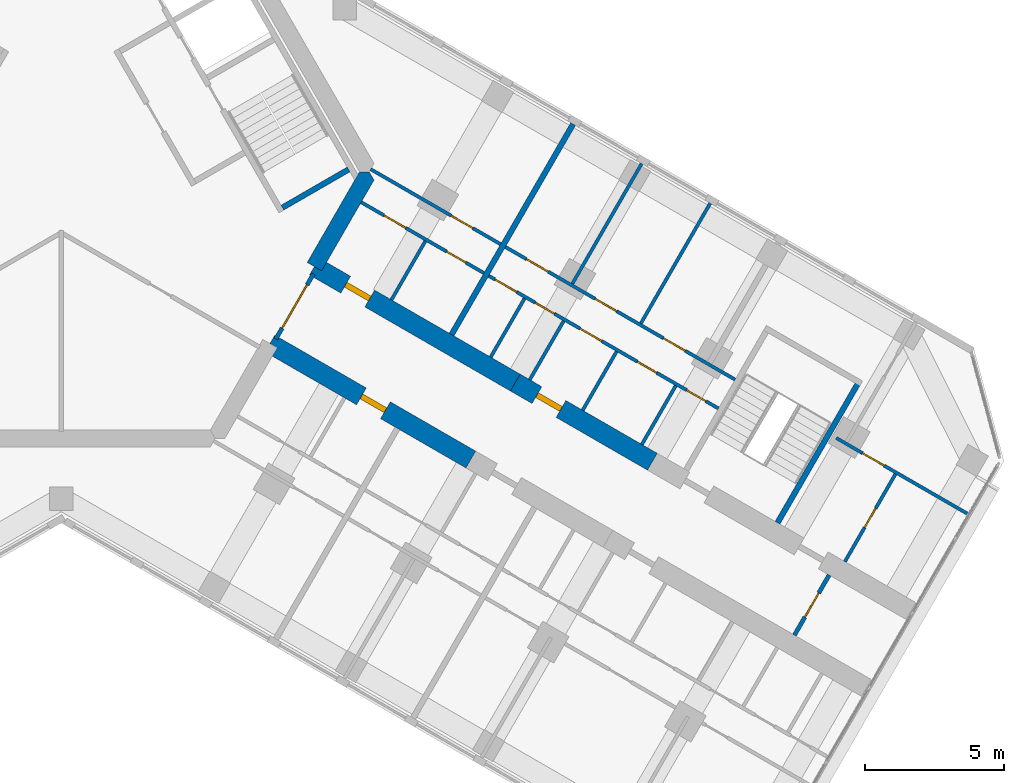
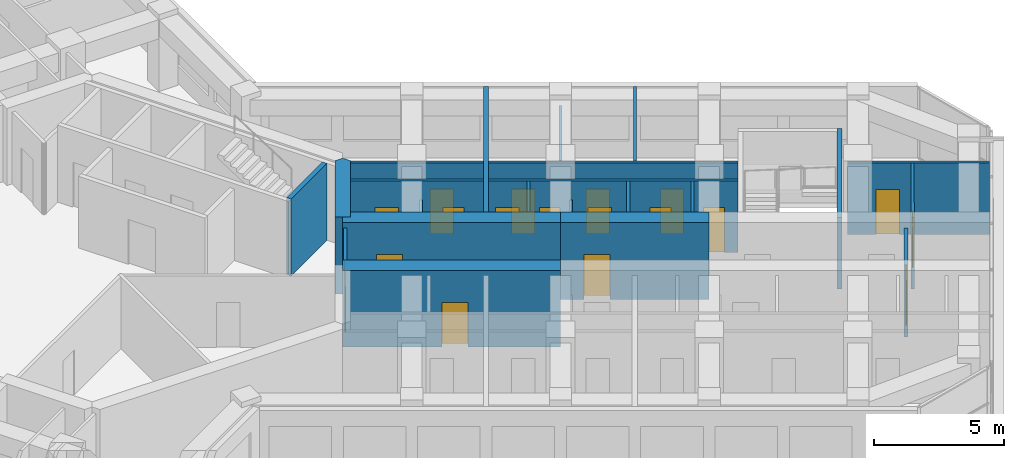
# One storey, part 12 of 16: 22 walls, 18 doors, 18 openings.
"""IFC4 building model written with IfcOpenShell, lengths in metres."""

from ifc_helpers import new_model, si_unit, direction, frame, frame_2d, origin, place, context, subcontext, project, spatial, polyline, rectangle, outline, extrude, material, layer, layer_set, type_object, element, fill, save


model = new_model("IFC4")

# Units and contexts
model_context = context("Model", 3, precision=1e-05, world=origin(), true_north=direction((0.0, 1.0)))
body_context = subcontext(model_context, "Body", "Model", "MODEL_VIEW")
ifc_project = project(units=[si_unit("LENGTHUNIT", "METRE"), si_unit("AREAUNIT", "SQUARE_METRE"), si_unit("VOLUMEUNIT", "CUBIC_METRE"), si_unit("PLANEANGLEUNIT", "RADIAN"), si_unit("MASSUNIT", "GRAM", prefix="KILO")], contexts=[model_context])

# Site, building, storey
site_placement = place(None, origin())
site = spatial("IfcSite", under=ifc_project, at=site_placement, CompositionType="ELEMENT")
building_placement = place(site_placement, origin())
building = spatial("IfcBuilding", under=site, at=building_placement, Name="Kosmar Iwan School Tower", CompositionType="ELEMENT")
storey_placement = place(building_placement, frame((0.0, 0.0, 253.199951171875)))
storey = spatial("IfcBuildingStorey", under=building, at=storey_placement, Name="L64", CompositionType="ELEMENT", Elevation=253.199951171875)

# Wall
ifc_material_1 = material(Name="Concrete C50/60", Category="concrete")
ifc_layer_1 = layer(ifc_material_1, 0.60009765625)
ifc_layer_set_1 = layer_set([ifc_layer_1], Name="Core wall 600")
wall_type_1 = type_object("IfcWallType", Name="Core wall 600", PredefinedType="SHEAR", material=ifc_layer_set_1)
wall_1_placement = place(storey_placement, origin())
element("IfcWall", 1, at=wall_1_placement, inside=storey, type_object=wall_type_1, Name="Core wall F330b", PredefinedType="SHEAR", context=body_context, shape_type="SweptSolid", body=[
    extrude(outline(polyline([(9.37353515625, -3.564453125), (11.25830078125, -0.300048828125), (11.085205078125, 0.0), (10.73876953125, 0.0), (8.85400390625, -3.264404296875), (9.37353515625, -3.564453125)])), origin(), (0.0, 0.0, 1.0), 3.60009765625),
])

# Wall, opening, door
ifc_material_2 = material(Name="Concrete C50/60", Category="concrete")
ifc_layer_2 = layer(ifc_material_2, 0.699951171875)
ifc_layer_set_2 = layer_set([ifc_layer_2], Name="Corridor buttress wall 700")
wall_type_2 = type_object("IfcWallType", Name="Corridor buttress wall 700", PredefinedType="SHEAR", material=ifc_layer_set_2)
wall_2_placement = place(storey_placement, frame((9.11376953125, -3.414306640625, 0.0), z_axis=(0.0, 0.0, 1.0), x_axis=(0.866026859388, -0.499997478812, 0.0)))
wall_2 = element("IfcWall", 2, at=wall_2_placement, inside=storey, type_object=wall_type_2, Name="Corridor wall CL", PredefinedType="SHEAR", context=body_context, shape_type="SweptSolid", body=[
    extrude(rectangle(XDim=8.35009765625, YDim=0.699951171875, at=frame_2d((4.175048828125, 0.0))), origin(), (0.0, 0.0, 1.0), 3.60009765625),
])
opening_1_placement = place(wall_2_placement, frame((1.300048828125, 0.0, 0.0)))
opening_1 = element("IfcOpeningElement", 3, at=opening_1_placement, cuts=wall_2, Name="Opening D1", PredefinedType="OPENING", context=body_context, shape_type="SweptSolid", body=[
    extrude(rectangle(XDim=1.0, YDim=2.10009765625, at=frame_2d((0.5, 1.050048828125))), frame((0.0, 0.362060546875, 0.0), z_axis=(0.0, -1.0, 0.0), x_axis=(1.0, 0.0, 0.0)), (0.0, 0.0, 1.0), 0.723876953125),
])
ifc_material_3 = material(Name="Timber fire door in steel frame", Category="steel")
door_type_1 = type_object("IfcDoorType", Name="Flat entrance door 1000x2100", OperationType="SINGLE_SWING_LEFT", PredefinedType="DOOR", material=ifc_material_3)
door_1_placement = place(opening_1_placement, origin())
door_1 = element("IfcDoor", 4, at=door_1_placement, inside=storey, type_object=door_type_1, Name="Flat L64-CL1 entrance door", OperationType="SINGLE_SWING_RIGHT", OverallHeight=2.10009765625, OverallWidth=1.0, PredefinedType="DOOR", context=body_context, shape_type="SweptSolid", body=[
    extrude(rectangle(XDim=1.0, YDim=2.10009765625, at=frame_2d((0.5, 1.050048828125))), frame((0.0, 0.10009765625, 0.0), z_axis=(0.0, -1.0, 0.0), x_axis=(1.0, 0.0, 0.0)), (0.0, 0.0, 1.0), 0.199951171875),
])
fill(opening_1, door_1)

wall_3_placement = place(storey_placement, frame((16.34521484375, -7.58935546875, 0.0), z_axis=(0.0, 0.0, 1.0), x_axis=(0.866015111908, -0.50001782563, 0.0)))
wall_3 = element("IfcWall", 5, at=wall_3_placement, inside=storey, type_object=wall_type_2, Name="Corridor wall CL bay 2", PredefinedType="SHEAR", context=body_context, shape_type="SweptSolid", body=[
    extrude(rectangle(XDim=5.699951171875, YDim=0.699951171875, at=frame_2d((2.85009765625, 0.0))), origin(), (0.0, 0.0, 1.0), 3.60009765625),
])
opening_2_placement = place(wall_3_placement, frame((0.89990234375, 0.0, 0.0)))
opening_2 = element("IfcOpeningElement", 6, at=opening_2_placement, cuts=wall_3, Name="Opening D1", PredefinedType="OPENING", context=body_context, shape_type="SweptSolid", body=[
    extrude(rectangle(XDim=1.0, YDim=2.10009765625, at=frame_2d((0.5, 1.050048828125))), frame((0.0, 0.362060546875, 0.0), z_axis=(0.0, -1.0, 0.0), x_axis=(1.0, 0.0, 0.0)), (0.0, 0.0, 1.0), 0.723876953125),
])
door_2_placement = place(opening_2_placement, origin())
door_2 = element("IfcDoor", 7, at=door_2_placement, inside=storey, type_object=door_type_1, Name="Flat L64-CL2 entrance door", OperationType="SINGLE_SWING_LEFT", OverallHeight=2.10009765625, OverallWidth=1.0, PredefinedType="DOOR", context=body_context, shape_type="SweptSolid", body=[
    extrude(rectangle(XDim=1.0, YDim=2.10009765625, at=frame_2d((0.5, 1.050048828125))), frame((0.0, 0.10009765625, 0.0), z_axis=(0.0, -1.0, 0.0), x_axis=(1.0, 0.0, 0.0)), (0.0, 0.0, 1.0), 0.199951171875),
])
fill(opening_2, door_2)

wall_4_placement = place(storey_placement, frame((7.513916015625, -6.185546875, 0.0), z_axis=(0.0, 0.0, 1.0), x_axis=(0.866019549707, -0.500010139422, 0.0)))
wall_4 = element("IfcWall", 8, at=wall_4_placement, inside=storey, type_object=wall_type_2, Name="Corridor wall CR", PredefinedType="SHEAR", context=body_context, shape_type="SweptSolid", body=[
    extrude(rectangle(XDim=8.349853515625, YDim=0.699951171875, at=frame_2d((4.1748046875, 0.0))), origin(), (0.0, 0.0, 1.0), 3.60009765625),
])
opening_3_placement = place(wall_4_placement, frame((3.800048828125, 0.0, 0.0)))
opening_3 = element("IfcOpeningElement", 9, at=opening_3_placement, cuts=wall_4, Name="Opening D1", PredefinedType="OPENING", context=body_context, shape_type="SweptSolid", body=[
    extrude(rectangle(XDim=1.0, YDim=2.10009765625, at=frame_2d((0.5, 1.050048828125))), frame((0.0, 0.362060546875, 0.0), z_axis=(0.0, -1.0, 0.0), x_axis=(1.0, 0.0, 0.0)), (0.0, 0.0, 1.0), 0.723876953125),
])
door_3_placement = place(opening_3_placement, origin())
door_3 = element("IfcDoor", 10, at=door_3_placement, inside=storey, type_object=door_type_1, Name="Flat L64-CR1 entrance door", OperationType="SINGLE_SWING_RIGHT", OverallHeight=2.10009765625, OverallWidth=1.0, PredefinedType="DOOR", context=body_context, shape_type="SweptSolid", body=[
    extrude(rectangle(XDim=1.0, YDim=2.10009765625, at=frame_2d((0.5, 1.050048828125))), frame((0.0, 0.10009765625, 0.0), z_axis=(0.0, -1.0, 0.0), x_axis=(1.0, 0.0, 0.0)), (0.0, 0.0, 1.0), 0.199951171875),
])
fill(opening_3, door_3)

ifc_material_4 = material(Name="Gypsum board on steel studs, fire-rated", Category="steel")
ifc_layer_3 = layer(ifc_material_4, 0.14990234375)
ifc_layer_set_3 = layer_set([ifc_layer_3], Name="Corridor end wall 150")
wall_type_3 = type_object("IfcWallType", Name="Corridor end wall 150", PredefinedType="PARTITIONING", material=ifc_layer_set_3)
wall_5_placement = place(storey_placement, frame((26.39501953125, -16.6826171875, 0.0), z_axis=(0.0, 0.0, 1.0), x_axis=(0.500004234368, 0.866022959057, 0.0)))
wall_5 = element("IfcWall", 11, at=wall_5_placement, inside=storey, type_object=wall_type_3, Name="Partition L64-C-CE", PredefinedType="PARTITIONING", context=body_context, shape_type="SweptSolid", body=[
    extrude(rectangle(XDim=2.5, YDim=0.14990234375, at=frame_2d((1.25, 0.0))), origin(), (0.0, 0.0, 1.0), 3.35009765625),
])
opening_4_placement = place(wall_5_placement, frame((0.75, 0.0, 0.0)))
opening_4 = element("IfcOpeningElement", 12, at=opening_4_placement, cuts=wall_5, Name="Opening D13", PredefinedType="OPENING", context=body_context, shape_type="SweptSolid", body=[
    extrude(rectangle(XDim=1.0, YDim=2.10009765625, at=frame_2d((0.5, 1.050048828125))), frame((0.0, 0.0869140625, 0.0), z_axis=(0.0, -1.0, 0.0), x_axis=(1.0, 0.0, 0.0)), (0.0, 0.0, 1.0), 0.173828125),
])
ifc_material_5 = material(Name="Timber fire door with vision panel", Category="wood")
door_type_2 = type_object("IfcDoorType", Name="Corridor end door 1000x2100", OperationType="SINGLE_SWING_LEFT", PredefinedType="DOOR", material=ifc_material_5)
door_4_placement = place(opening_4_placement, origin())
door_4 = element("IfcDoor", 13, at=door_4_placement, inside=storey, type_object=door_type_2, Name="Laundry and drying room door L64-C", OperationType="SINGLE_SWING_LEFT", OverallHeight=2.10009765625, OverallWidth=1.0, PredefinedType="DOOR", context=body_context, shape_type="SweptSolid", body=[
    extrude(rectangle(XDim=1.0, YDim=2.10009765625, at=frame_2d((0.5, 1.050048828125))), frame((0.0, 0.02490234375, 0.0), z_axis=(0.0, -1.0, 0.0), x_axis=(1.0, 0.0, 0.0)), (0.0, 0.0, 1.0), 0.050048828125),
])
fill(opening_4, door_4)

ifc_material_6 = material(Name="Steel framed glazed screen", Category="steel")
ifc_layer_4 = layer(ifc_material_6, 0.14990234375)
ifc_layer_set_4 = layer_set([ifc_layer_4], Name="Corridor screen wall 150")
wall_type_4 = type_object("IfcWallType", Name="Corridor screen wall 150", PredefinedType="PARTITIONING", material=ifc_layer_set_4)
wall_6_placement = place(storey_placement, frame((7.725341796875, -6.01904296875, 0.0), z_axis=(0.0, 0.0, 1.0), x_axis=(0.500048589285, 0.86599734893, 0.0)))
wall_6 = element("IfcWall", 14, at=wall_6_placement, inside=storey, type_object=wall_type_4, Name="Corridor screen C L64", PredefinedType="PARTITIONING", context=body_context, shape_type="SweptSolid", body=[
    extrude(rectangle(XDim=2.699951171875, YDim=0.14990234375, at=frame_2d((1.35009765625, 0.0))), origin(), (0.0, 0.0, 1.0), 3.35009765625),
])
opening_5_placement = place(wall_6_placement, frame((0.449951171875, 0.0, 0.0)))
opening_5 = element("IfcOpeningElement", 15, at=opening_5_placement, cuts=wall_6, Name="Opening D9", PredefinedType="OPENING", context=body_context, shape_type="SweptSolid", body=[
    extrude(rectangle(XDim=1.800048828125, YDim=2.10009765625, at=frame_2d((0.89990234375, 1.050048828125))), frame((0.0, 0.0869140625, 0.0), z_axis=(0.0, -1.0, 0.0), x_axis=(1.0, 0.0, 0.0)), (0.0, 0.0, 1.0), 0.173828125),
])
ifc_material_7 = material(Name="Steel framed glazed smoke door", Category="steel")
door_type_3 = type_object("IfcDoorType", Name="Corridor smoke door pair 1800x2100", OperationType="DOUBLE_DOOR_DOUBLE_SWING", PredefinedType="DOOR", material=ifc_material_7)
door_5_placement = place(opening_5_placement, origin())
door_5 = element("IfcDoor", 16, at=door_5_placement, inside=storey, type_object=door_type_3, Name="Corridor doors C L64", OperationType="DOUBLE_DOOR_DOUBLE_SWING", OverallHeight=2.10009765625, OverallWidth=1.800048828125, PredefinedType="DOOR", context=body_context, shape_type="SweptSolid", body=[
    extrude(rectangle(XDim=1.800048828125, YDim=2.10009765625, at=frame_2d((0.89990234375, 1.050048828125))), frame((0.0, 0.02490234375, 0.0), z_axis=(0.0, -1.0, 0.0), x_axis=(1.0, 0.0, 0.0)), (0.0, 0.0, 1.0), 0.050048828125),
])
fill(opening_5, door_5)

# Wall, openings, doors
ifc_material_8 = material(Name="Gypsum board on steel studs", Category="steel")
ifc_layer_5 = layer(ifc_material_8, 0.1201171875)
ifc_layer_set_5 = layer_set([ifc_layer_5], Name="Dwelling partition 120")
wall_type_5 = type_object("IfcWallType", Name="Dwelling partition 120", PredefinedType="PARTITIONING", material=ifc_layer_set_5)
wall_7_placement = place(storey_placement, frame((10.798583984375, -1.09619140625, 0.0), z_axis=(0.0, 0.0, 1.0), x_axis=(0.86602216432, -0.500005610874, 0.0)))
wall_7 = element("IfcWall", 17, at=wall_7_placement, inside=storey, type_object=wall_type_5, Name="Partition L64-CL1-W1", PredefinedType="PARTITIONING", context=body_context, shape_type="SweptSolid", body=[
    extrude(rectangle(XDim=5.10009765625, YDim=0.1201171875, at=frame_2d((2.550048828125, 0.0))), origin(), (0.0, 0.0, 1.0), 3.35009765625),
])
opening_6_placement = place(wall_7_placement, frame((0.949951171875, 0.0, 0.0)))
opening_6 = element("IfcOpeningElement", 18, at=opening_6_placement, cuts=wall_7, Name="Opening D2", PredefinedType="OPENING", context=body_context, shape_type="SweptSolid", body=[
    extrude(rectangle(XDim=0.89990234375, YDim=2.10009765625, at=frame_2d((0.449951171875, 1.050048828125))), frame((0.0, 0.072021484375, 0.0), z_axis=(0.0, -1.0, 0.0), x_axis=(1.0, 0.0, 0.0)), (0.0, 0.0, 1.0), 0.14404296875),
])
opening_7_placement = place(wall_7_placement, frame((3.550048828125, 0.0, 0.0)))
opening_7 = element("IfcOpeningElement", 19, at=opening_7_placement, cuts=wall_7, Name="Opening D3", PredefinedType="OPENING", context=body_context, shape_type="SweptSolid", body=[
    extrude(rectangle(XDim=0.800048828125, YDim=2.10009765625, at=frame_2d((0.39990234375, 1.050048828125))), frame((0.0, 0.072021484375, 0.0), z_axis=(0.0, -1.0, 0.0), x_axis=(1.0, 0.0, 0.0)), (0.0, 0.0, 1.0), 0.14404296875),
])
ifc_material_9 = material(Name="Timber door in timber frame", Category="wood")
door_type_4 = type_object("IfcDoorType", Name="Internal door 900x2100", OperationType="SINGLE_SWING_LEFT", PredefinedType="DOOR", material=ifc_material_9)
door_6_placement = place(opening_6_placement, origin())
door_6 = element("IfcDoor", 20, at=door_6_placement, inside=storey, type_object=door_type_4, Name="Entrance hall door L64-CL1-S1", OperationType="SINGLE_SWING_LEFT", OverallHeight=2.10009765625, OverallWidth=0.89990234375, PredefinedType="DOOR", context=body_context, shape_type="SweptSolid", body=[
    extrude(rectangle(XDim=0.89990234375, YDim=2.10009765625, at=frame_2d((0.449951171875, 1.050048828125))), frame((0.0, 0.02490234375, 0.0), z_axis=(0.0, -1.0, 0.0), x_axis=(1.0, 0.0, 0.0)), (0.0, 0.0, 1.0), 0.050048828125),
])
fill(opening_6, door_6)
ifc_material_10 = material(Name="Timber door in timber frame", Category="wood")
door_type_5 = type_object("IfcDoorType", Name="Sanitary room door 800x2100", OperationType="SINGLE_SWING_LEFT", PredefinedType="DOOR", material=ifc_material_10)
door_7_placement = place(opening_7_placement, origin())
door_7 = element("IfcDoor", 21, at=door_7_placement, inside=storey, type_object=door_type_5, Name="Bathroom door L64-CL1-S2", OperationType="SINGLE_SWING_RIGHT", OverallHeight=2.10009765625, OverallWidth=0.800048828125, PredefinedType="DOOR", context=body_context, shape_type="SweptSolid", body=[
    extrude(rectangle(XDim=0.800048828125, YDim=2.10009765625, at=frame_2d((0.39990234375, 1.050048828125))), frame((0.0, 0.02490234375, 0.0), z_axis=(0.0, -1.0, 0.0), x_axis=(1.0, 0.0, 0.0)), (0.0, 0.0, 1.0), 0.050048828125),
])
fill(opening_7, door_7)

# Wall, opening, door
wall_8_placement = place(storey_placement, frame((11.138916015625, 0.093017578125, 0.0), z_axis=(0.0, 0.0, 1.0), x_axis=(0.866028230842, -0.499995103361, 0.0)))
wall_8 = element("IfcWall", 22, at=wall_8_placement, inside=storey, type_object=wall_type_5, Name="Partition L64-CL1-W2", PredefinedType="PARTITIONING", context=body_context, shape_type="SweptSolid", body=[
    extrude(rectangle(XDim=5.39990234375, YDim=0.1201171875, at=frame_2d((2.699951171875, 0.0))), origin(), (0.0, 0.0, 1.0), 3.35009765625),
])
opening_8_placement = place(wall_8_placement, frame((3.35009765625, 0.0, 0.0)))
opening_8 = element("IfcOpeningElement", 23, at=opening_8_placement, cuts=wall_8, Name="Opening D2", PredefinedType="OPENING", context=body_context, shape_type="SweptSolid", body=[
    extrude(rectangle(XDim=0.89990234375, YDim=2.10009765625, at=frame_2d((0.449951171875, 1.050048828125))), frame((0.0, 0.072021484375, 0.0), z_axis=(0.0, -1.0, 0.0), x_axis=(1.0, 0.0, 0.0)), (0.0, 0.0, 1.0), 0.14404296875),
])
door_8_placement = place(opening_8_placement, origin())
door_8 = element("IfcDoor", 24, at=door_8_placement, inside=storey, type_object=door_type_4, Name="Studio living room and kitchen door L64-CL1-F1", OperationType="SINGLE_SWING_RIGHT", OverallHeight=2.10009765625, OverallWidth=0.89990234375, PredefinedType="DOOR", context=body_context, shape_type="SweptSolid", body=[
    extrude(rectangle(XDim=0.89990234375, YDim=2.10009765625, at=frame_2d((0.449951171875, 1.050048828125))), frame((0.0, 0.02490234375, 0.0), z_axis=(0.0, -1.0, 0.0), x_axis=(1.0, 0.0, 0.0)), (0.0, 0.0, 1.0), 0.050048828125),
])
fill(opening_8, door_8)

# Wall
wall_9_placement = place(storey_placement, frame((11.886962890625, -4.611328125, 0.0), z_axis=(0.0, 0.0, 1.0), x_axis=(0.499959183527, 0.866048967903, 0.0)))
element("IfcWall", 25, at=wall_9_placement, inside=storey, type_object=wall_type_5, Name="Partition L64-CL1-Y1", PredefinedType="PARTITIONING", context=body_context, shape_type="SweptSolid", body=[
    extrude(rectangle(XDim=2.440185546875, YDim=0.1201171875, at=frame_2d((1.22021484375, 0.0))), origin(), (0.0, 0.0, 1.0), 2.449951171875),
])

# Wall, openings, doors
wall_10_placement = place(storey_placement, frame((15.388671875, -3.74609375, 0.0), z_axis=(0.0, 0.0, 1.0), x_axis=(0.866017851049, -0.500013081493, 0.0)))
wall_10 = element("IfcWall", 26, at=wall_10_placement, inside=storey, type_object=wall_type_5, Name="Partition L64-CL2-W1", PredefinedType="PARTITIONING", context=body_context, shape_type="SweptSolid", body=[
    extrude(rectangle(XDim=9.550048828125, YDim=0.1201171875, at=frame_2d((4.77490234375, 0.0))), origin(), (0.0, 0.0, 1.0), 3.35009765625),
])
opening_9_placement = place(wall_10_placement, frame((0.262451171875, 0.0, 0.0)))
opening_9 = element("IfcOpeningElement", 27, at=opening_9_placement, cuts=wall_10, Name="Opening D2", PredefinedType="OPENING", context=body_context, shape_type="SweptSolid", body=[
    extrude(rectangle(XDim=0.89990234375, YDim=2.10009765625, at=frame_2d((0.449951171875, 1.050048828125))), frame((0.0, 0.072021484375, 0.0), z_axis=(0.0, -1.0, 0.0), x_axis=(1.0, 0.0, 0.0)), (0.0, 0.0, 1.0), 0.14404296875),
])
opening_10_placement = place(wall_10_placement, frame((1.9375, 0.0, 0.0)))
opening_10 = element("IfcOpeningElement", 28, at=opening_10_placement, cuts=wall_10, Name="Opening D3", PredefinedType="OPENING", context=body_context, shape_type="SweptSolid", body=[
    extrude(rectangle(XDim=0.800048828125, YDim=2.10009765625, at=frame_2d((0.39990234375, 1.050048828125))), frame((0.0, 0.072021484375, 0.0), z_axis=(0.0, -1.0, 0.0), x_axis=(1.0, 0.0, 0.0)), (0.0, 0.0, 1.0), 0.14404296875),
])
opening_11_placement = place(wall_10_placement, frame((3.800048828125, 0.0, 0.0)))
opening_11 = element("IfcOpeningElement", 29, at=opening_11_placement, cuts=wall_10, Name="Opening D2", PredefinedType="OPENING", context=body_context, shape_type="SweptSolid", body=[
    extrude(rectangle(XDim=0.89990234375, YDim=2.10009765625, at=frame_2d((0.449951171875, 1.050048828125))), frame((0.0, 0.072021484375, 0.0), z_axis=(0.0, -1.0, 0.0), x_axis=(1.0, 0.0, 0.0)), (0.0, 0.0, 1.0), 0.14404296875),
])
opening_12_placement = place(wall_10_placement, frame((6.179931640625, 0.0, 0.0)))
opening_12 = element("IfcOpeningElement", 30, at=opening_12_placement, cuts=wall_10, Name="Opening D3", PredefinedType="OPENING", context=body_context, shape_type="SweptSolid", body=[
    extrude(rectangle(XDim=0.800048828125, YDim=2.10009765625, at=frame_2d((0.39990234375, 1.050048828125))), frame((0.0, 0.072021484375, 0.0), z_axis=(0.0, -1.0, 0.0), x_axis=(1.0, 0.0, 0.0)), (0.0, 0.0, 1.0), 0.14404296875),
])
opening_13_placement = place(wall_10_placement, frame((8.22998046875, 0.0, 0.0)))
opening_13 = element("IfcOpeningElement", 31, at=opening_13_placement, cuts=wall_10, Name="Opening D3", PredefinedType="OPENING", context=body_context, shape_type="SweptSolid", body=[
    extrude(rectangle(XDim=0.800048828125, YDim=2.10009765625, at=frame_2d((0.39990234375, 1.050048828125))), frame((0.0, 0.072021484375, 0.0), z_axis=(0.0, -1.0, 0.0), x_axis=(1.0, 0.0, 0.0)), (0.0, 0.0, 1.0), 0.14404296875),
])
door_9_placement = place(opening_9_placement, origin())
door_9 = element("IfcDoor", 32, at=door_9_placement, inside=storey, type_object=door_type_4, Name="Pantry door L64-CL2-S1", OperationType="SINGLE_SWING_LEFT", OverallHeight=2.10009765625, OverallWidth=0.89990234375, PredefinedType="DOOR", context=body_context, shape_type="SweptSolid", body=[
    extrude(rectangle(XDim=0.89990234375, YDim=2.10009765625, at=frame_2d((0.449951171875, 1.050048828125))), frame((0.0, 0.02490234375, 0.0), z_axis=(0.0, -1.0, 0.0), x_axis=(1.0, 0.0, 0.0)), (0.0, 0.0, 1.0), 0.050048828125),
])
fill(opening_9, door_9)
door_10_placement = place(opening_11_placement, origin())
door_10 = element("IfcDoor", 33, at=door_10_placement, inside=storey, type_object=door_type_4, Name="Entrance hall door L64-CL2-S3", OperationType="SINGLE_SWING_LEFT", OverallHeight=2.10009765625, OverallWidth=0.89990234375, PredefinedType="DOOR", context=body_context, shape_type="SweptSolid", body=[
    extrude(rectangle(XDim=0.89990234375, YDim=2.10009765625, at=frame_2d((0.449951171875, 1.050048828125))), frame((0.0, 0.02490234375, 0.0), z_axis=(0.0, -1.0, 0.0), x_axis=(1.0, 0.0, 0.0)), (0.0, 0.0, 1.0), 0.050048828125),
])
fill(opening_11, door_10)
door_11_placement = place(opening_10_placement, origin())
door_11 = element("IfcDoor", 34, at=door_11_placement, inside=storey, type_object=door_type_5, Name="Grandparents' shower room door L64-CL2-S2", OperationType="SINGLE_SWING_LEFT", OverallHeight=2.10009765625, OverallWidth=0.800048828125, PredefinedType="DOOR", context=body_context, shape_type="SweptSolid", body=[
    extrude(rectangle(XDim=0.800048828125, YDim=2.10009765625, at=frame_2d((0.39990234375, 1.050048828125))), frame((0.0, 0.02490234375, 0.0), z_axis=(0.0, -1.0, 0.0), x_axis=(1.0, 0.0, 0.0)), (0.0, 0.0, 1.0), 0.050048828125),
])
fill(opening_10, door_11)
door_12_placement = place(opening_12_placement, origin())
door_12 = element("IfcDoor", 35, at=door_12_placement, inside=storey, type_object=door_type_5, Name="Bathroom door L64-CL2-S4", OperationType="SINGLE_SWING_RIGHT", OverallHeight=2.10009765625, OverallWidth=0.800048828125, PredefinedType="DOOR", context=body_context, shape_type="SweptSolid", body=[
    extrude(rectangle(XDim=0.800048828125, YDim=2.10009765625, at=frame_2d((0.39990234375, 1.050048828125))), frame((0.0, 0.02490234375, 0.0), z_axis=(0.0, -1.0, 0.0), x_axis=(1.0, 0.0, 0.0)), (0.0, 0.0, 1.0), 0.050048828125),
])
fill(opening_12, door_12)
door_13_placement = place(opening_13_placement, origin())
door_13 = element("IfcDoor", 36, at=door_13_placement, inside=storey, type_object=door_type_5, Name="Shower room door L64-CL2-S5", OperationType="SINGLE_SWING_RIGHT", OverallHeight=2.10009765625, OverallWidth=0.800048828125, PredefinedType="DOOR", context=body_context, shape_type="SweptSolid", body=[
    extrude(rectangle(XDim=0.800048828125, YDim=2.10009765625, at=frame_2d((0.39990234375, 1.050048828125))), frame((0.0, 0.02490234375, 0.0), z_axis=(0.0, -1.0, 0.0), x_axis=(1.0, 0.0, 0.0)), (0.0, 0.0, 1.0), 0.050048828125),
])
fill(opening_13, door_13)

wall_11_placement = place(storey_placement, frame((15.988525390625, -2.70703125, 0.0), z_axis=(0.0, 0.0, 1.0), x_axis=(0.866028920859, -0.499993908199, 0.0)))
wall_11 = element("IfcWall", 37, at=wall_11_placement, inside=storey, type_object=wall_type_5, Name="Partition L64-CL2-W2", PredefinedType="PARTITIONING", context=body_context, shape_type="SweptSolid", body=[
    extrude(rectangle(XDim=9.5498046875, YDim=0.1201171875, at=frame_2d((4.77490234375, 0.0))), origin(), (0.0, 0.0, 1.0), 3.35009765625),
])
opening_14_placement = place(wall_11_placement, frame((0.875, 0.0, 0.0)))
opening_14 = element("IfcOpeningElement", 38, at=opening_14_placement, cuts=wall_11, Name="Opening D2", PredefinedType="OPENING", context=body_context, shape_type="SweptSolid", body=[
    extrude(rectangle(XDim=0.89990234375, YDim=2.10009765625, at=frame_2d((0.449951171875, 1.050048828125))), frame((0.0, 0.072021484375, 0.0), z_axis=(0.0, -1.0, 0.0), x_axis=(1.0, 0.0, 0.0)), (0.0, 0.0, 1.0), 0.14404296875),
])
opening_15_placement = place(wall_11_placement, frame((3.72509765625, 0.0, 0.0)))
opening_15 = element("IfcOpeningElement", 39, at=opening_15_placement, cuts=wall_11, Name="Opening D2", PredefinedType="OPENING", context=body_context, shape_type="SweptSolid", body=[
    extrude(rectangle(XDim=0.89990234375, YDim=2.10009765625, at=frame_2d((0.449951171875, 1.050048828125))), frame((0.0, 0.072021484375, 0.0), z_axis=(0.0, -1.0, 0.0), x_axis=(1.0, 0.0, 0.0)), (0.0, 0.0, 1.0), 0.14404296875),
])
opening_16_placement = place(wall_11_placement, frame((6.574951171875, 0.0, 0.0)))
opening_16 = element("IfcOpeningElement", 40, at=opening_16_placement, cuts=wall_11, Name="Opening D2", PredefinedType="OPENING", context=body_context, shape_type="SweptSolid", body=[
    extrude(rectangle(XDim=0.89990234375, YDim=2.10009765625, at=frame_2d((0.449951171875, 1.050048828125))), frame((0.0, 0.072021484375, 0.0), z_axis=(0.0, -1.0, 0.0), x_axis=(1.0, 0.0, 0.0)), (0.0, 0.0, 1.0), 0.14404296875),
])
door_14_placement = place(opening_14_placement, origin())
door_14 = element("IfcDoor", 41, at=door_14_placement, inside=storey, type_object=door_type_4, Name="Bedroom 1 door L64-CL2-F1", OperationType="SINGLE_SWING_LEFT", OverallHeight=2.10009765625, OverallWidth=0.89990234375, PredefinedType="DOOR", context=body_context, shape_type="SweptSolid", body=[
    extrude(rectangle(XDim=0.89990234375, YDim=2.10009765625, at=frame_2d((0.449951171875, 1.050048828125))), frame((0.0, 0.02490234375, 0.0), z_axis=(0.0, -1.0, 0.0), x_axis=(1.0, 0.0, 0.0)), (0.0, 0.0, 1.0), 0.050048828125),
])
fill(opening_14, door_14)
door_15_placement = place(opening_15_placement, origin())
door_15 = element("IfcDoor", 42, at=door_15_placement, inside=storey, type_object=door_type_4, Name="Living room and kitchen door L64-CL2-F2", OperationType="SINGLE_SWING_RIGHT", OverallHeight=2.10009765625, OverallWidth=0.89990234375, PredefinedType="DOOR", context=body_context, shape_type="SweptSolid", body=[
    extrude(rectangle(XDim=0.89990234375, YDim=2.10009765625, at=frame_2d((0.449951171875, 1.050048828125))), frame((0.0, 0.02490234375, 0.0), z_axis=(0.0, -1.0, 0.0), x_axis=(1.0, 0.0, 0.0)), (0.0, 0.0, 1.0), 0.050048828125),
])
fill(opening_15, door_15)
door_16_placement = place(opening_16_placement, origin())
door_16 = element("IfcDoor", 43, at=door_16_placement, inside=storey, type_object=door_type_4, Name="Grandparents' suite door L64-CL2-F3", OperationType="SINGLE_SWING_LEFT", OverallHeight=2.10009765625, OverallWidth=0.89990234375, PredefinedType="DOOR", context=body_context, shape_type="SweptSolid", body=[
    extrude(rectangle(XDim=0.89990234375, YDim=2.10009765625, at=frame_2d((0.449951171875, 1.050048828125))), frame((0.0, 0.02490234375, 0.0), z_axis=(0.0, -1.0, 0.0), x_axis=(1.0, 0.0, 0.0)), (0.0, 0.0, 1.0), 0.050048828125),
])
fill(opening_16, door_16)

# Walls
wall_12_placement = place(storey_placement, frame((18.400146484375, -4.030029296875, 0.0), z_axis=(0.0, 0.0, 1.0), x_axis=(0.500011847778, 0.866018563358, 0.0)))
element("IfcWall", 44, at=wall_12_placement, inside=storey, type_object=wall_type_5, Name="Partition L64-CL2-X1", PredefinedType="PARTITIONING", context=body_context, shape_type="SweptSolid", body=[
    extrude(rectangle(XDim=4.990234375, YDim=0.1201171875, at=frame_2d((2.4951171875, 0.0))), origin(), (0.0, 0.0, 1.0), 2.449951171875),
])
wall_13_placement = place(storey_placement, frame((20.868408203125, -5.455078125, 0.0), z_axis=(0.0, 0.0, 1.0), x_axis=(0.499975153383, 0.86603974851, 0.0)))
element("IfcWall", 45, at=wall_13_placement, inside=storey, type_object=wall_type_5, Name="Partition L64-CL2-X2", PredefinedType="PARTITIONING", context=body_context, shape_type="SweptSolid", body=[
    extrude(rectangle(XDim=4.989990234375, YDim=0.1201171875, at=frame_2d((2.4951171875, 0.0))), origin(), (0.0, 0.0, 1.0), 3.35009765625),
])
wall_14_placement = place(storey_placement, frame((15.459228515625, -6.673828125, 0.0), z_axis=(0.0, 0.0, 1.0), x_axis=(0.499959183527, 0.866048967903, 0.0)))
element("IfcWall", 46, at=wall_14_placement, inside=storey, type_object=wall_type_5, Name="Partition L64-CL2-Y1", PredefinedType="PARTITIONING", context=body_context, shape_type="SweptSolid", body=[
    extrude(rectangle(XDim=2.440185546875, YDim=0.1201171875, at=frame_2d((1.22021484375, 0.0))), origin(), (0.0, 0.0, 1.0), 3.35009765625),
])
wall_15_placement = place(storey_placement, frame((16.866455078125, -7.486328125, 0.0), z_axis=(0.0, 0.0, 1.0), x_axis=(0.500034220881, 0.866005645448, 0.0)))
element("IfcWall", 47, at=wall_15_placement, inside=storey, type_object=wall_type_5, Name="Partition L64-CL2-Y2", PredefinedType="PARTITIONING", context=body_context, shape_type="SweptSolid", body=[
    extrude(rectangle(XDim=2.440185546875, YDim=0.1201171875, at=frame_2d((1.22021484375, 0.0))), origin(), (0.0, 0.0, 1.0), 2.449951171875),
])
for number, where, z_axis, x_axis, name in (
    (48, (18.771728515625, -8.586181640625, 0.0), (0.0, 0.0, 1.0), (0.500077547548, 0.865980627057, 0.0), "Partition L64-CL2-Y3"),
    (49, (20.90234375, -9.816162109375, 0.0), (0.0, 0.0, 1.0), (0.500002508028, 0.866023955769, 0.0), "Partition L64-CL2-Y4"),
):
    element("IfcWall", number, at=place(storey_placement, frame(where, z_axis=z_axis, x_axis=x_axis)), inside=storey, type_object=wall_type_5, Name=name, PredefinedType="PARTITIONING", context=body_context, shape_type="SweptSolid", body=[
        extrude(rectangle(XDim=2.43994140625, YDim=0.1201171875, at=frame_2d((1.219970703125, 0.0))), origin(), (0.0, 0.0, 1.0), 3.35009765625),
    ])

# Wall, opening, door
wall_16_placement = place(storey_placement, frame((27.896484375, -9.58203125, 0.0), z_axis=(0.0, 0.0, 1.0), x_axis=(0.866035508231, -0.499982498177, 0.0)))
wall_16 = element("IfcWall", 50, at=wall_16_placement, inside=storey, type_object=wall_type_5, Name="Partition L64-CL3-TW", PredefinedType="PARTITIONING", context=body_context, shape_type="SweptSolid", body=[
    extrude(rectangle(XDim=5.445068359375, YDim=0.1201171875, at=frame_2d((2.72265625, 0.0))), origin(), (0.0, 0.0, 1.0), 3.35009765625),
])
opening_17_placement = place(wall_16_placement, frame((1.10009765625, 0.0, 0.0)))
opening_17 = element("IfcOpeningElement", 51, at=opening_17_placement, cuts=wall_16, Name="Opening D2", PredefinedType="OPENING", context=body_context, shape_type="SweptSolid", body=[
    extrude(rectangle(XDim=0.89990234375, YDim=2.10009765625, at=frame_2d((0.449951171875, 1.050048828125))), frame((0.0, 0.072021484375, 0.0), z_axis=(0.0, -1.0, 0.0), x_axis=(1.0, 0.0, 0.0)), (0.0, 0.0, 1.0), 0.14404296875),
])
door_17_placement = place(opening_17_placement, origin())
door_17 = element("IfcDoor", 52, at=door_17_placement, inside=storey, type_object=door_type_4, Name="Entrance hall door L64-CL3-T3", OperationType="SINGLE_SWING_LEFT", OverallHeight=2.10009765625, OverallWidth=0.89990234375, PredefinedType="DOOR", context=body_context, shape_type="SweptSolid", body=[
    extrude(rectangle(XDim=0.89990234375, YDim=2.10009765625, at=frame_2d((0.449951171875, 1.050048828125))), frame((0.0, 0.02490234375, 0.0), z_axis=(0.0, -1.0, 0.0), x_axis=(1.0, 0.0, 0.0)), (0.0, 0.0, 1.0), 0.050048828125),
])
fill(opening_17, door_17)

wall_17_placement = place(storey_placement, frame((28.21142578125, -14.036376953125, 0.0), z_axis=(0.0, 0.0, 1.0), x_axis=(0.499983701346, 0.866034813612, 0.0)))
wall_17 = element("IfcWall", 53, at=wall_17_placement, inside=storey, type_object=wall_type_5, Name="Partition L64-CL3-TY", PredefinedType="PARTITIONING", context=body_context, shape_type="SweptSolid", body=[
    extrude(rectangle(XDim=3.64013671875, YDim=0.1201171875, at=frame_2d((1.820068359375, 0.0))), origin(), (0.0, 0.0, 1.0), 3.35009765625),
])
opening_18_placement = place(wall_17_placement, frame((1.419921875, 0.0, 0.0)))
opening_18 = element("IfcOpeningElement", 54, at=opening_18_placement, cuts=wall_17, Name="Opening D3", PredefinedType="OPENING", context=body_context, shape_type="SweptSolid", body=[
    extrude(rectangle(XDim=0.800048828125, YDim=2.10009765625, at=frame_2d((0.39990234375, 1.050048828125))), frame((0.0, 0.072021484375, 0.0), z_axis=(0.0, -1.0, 0.0), x_axis=(1.0, 0.0, 0.0)), (0.0, 0.0, 1.0), 0.14404296875),
])
door_18_placement = place(opening_18_placement, origin())
door_18 = element("IfcDoor", 55, at=door_18_placement, inside=storey, type_object=door_type_5, Name="Bathroom door L64-CL3-T4", OperationType="SINGLE_SWING_LEFT", OverallHeight=2.10009765625, OverallWidth=0.800048828125, PredefinedType="DOOR", context=body_context, shape_type="SweptSolid", body=[
    extrude(rectangle(XDim=0.800048828125, YDim=2.10009765625, at=frame_2d((0.39990234375, 1.050048828125))), frame((0.0, 0.02490234375, 0.0), z_axis=(0.0, -1.0, 0.0), x_axis=(1.0, 0.0, 0.0)), (0.0, 0.0, 1.0), 0.050048828125),
])
fill(opening_18, door_18)

# Walls
ifc_material_11 = material(Name="Concrete C35/45", Category="concrete")
ifc_layer_6 = layer(ifc_material_11, 0.199951171875)
ifc_layer_set_6 = layer_set([ifc_layer_6], Name="Escape stair wall 200")
wall_type_6 = type_object("IfcWallType", Name="Escape stair wall 200", PredefinedType="SHEAR", material=ifc_layer_set_6)
wall_18_placement = place(storey_placement, frame((25.78662109375, -12.63623046875, 0.0), z_axis=(0.0, 0.0, 1.0), x_axis=(0.500013701029, 0.866017493347, 0.0)))
element("IfcWall", 56, at=wall_18_placement, inside=storey, type_object=wall_type_6, Name="Stair WS3 wall", PredefinedType="SHEAR", context=body_context, shape_type="SweptSolid", body=[
    extrude(rectangle(XDim=5.949951171875, YDim=0.199951171875, at=frame_2d((2.97509765625, 0.0))), origin(), (0.0, 0.0, 1.0), 3.330078125),
])
ifc_material_12 = material(Name="Concrete block masonry", Category="masonry")
ifc_layer_7 = layer(ifc_material_12, 0.199951171875)
ifc_layer_set_7 = layer_set([ifc_layer_7], Name="Party wall 200")
wall_type_7 = type_object("IfcWallType", Name="Party wall 200", PredefinedType="PARTITIONING", material=ifc_layer_set_7)
wall_19_placement = place(storey_placement, frame((14.052001953125, -5.861328125, 0.0), z_axis=(0.0, 0.0, 1.0), x_axis=(0.499992152613, 0.866029934428, 0.0)))
element("IfcWall", 57, at=wall_19_placement, inside=storey, type_object=wall_type_7, Name="Partition L64-CL2-PW", PredefinedType="PARTITIONING", context=body_context, shape_type="SweptSolid", body=[
    extrude(rectangle(XDim=8.750244140625, YDim=0.199951171875, at=frame_2d((4.375, 0.0))), origin(), (0.0, 0.0, 1.0), 3.35009765625),
])
ifc_material_13 = material(Name="Concrete C50/60", Category="concrete")
ifc_layer_8 = layer(ifc_material_13, 0.199951171875)
ifc_layer_set_8 = layer_set([ifc_layer_8], Name="Stair enclosure wall 200")
wall_type_8 = type_object("IfcWallType", Name="Stair enclosure wall 200", PredefinedType="SHEAR", material=ifc_layer_set_8)
wall_20_placement = place(storey_placement, frame((7.962646484375, -1.291748046875, 0.0), z_axis=(0.0, 0.0, 1.0), x_axis=(0.866027397988, 0.499996545922, 0.0)))
element("IfcWall", 58, at=wall_20_placement, inside=storey, type_object=wall_type_8, Name="Stair ST1 wall", PredefinedType="SHEAR", context=body_context, shape_type="SweptSolid", body=[
    extrude(rectangle(XDim=2.75, YDim=0.199951171875, at=frame_2d((1.375, 0.0))), origin(), (0.0, 0.0, 1.0), 3.60009765625),
])

save(model, "model.ifc")
